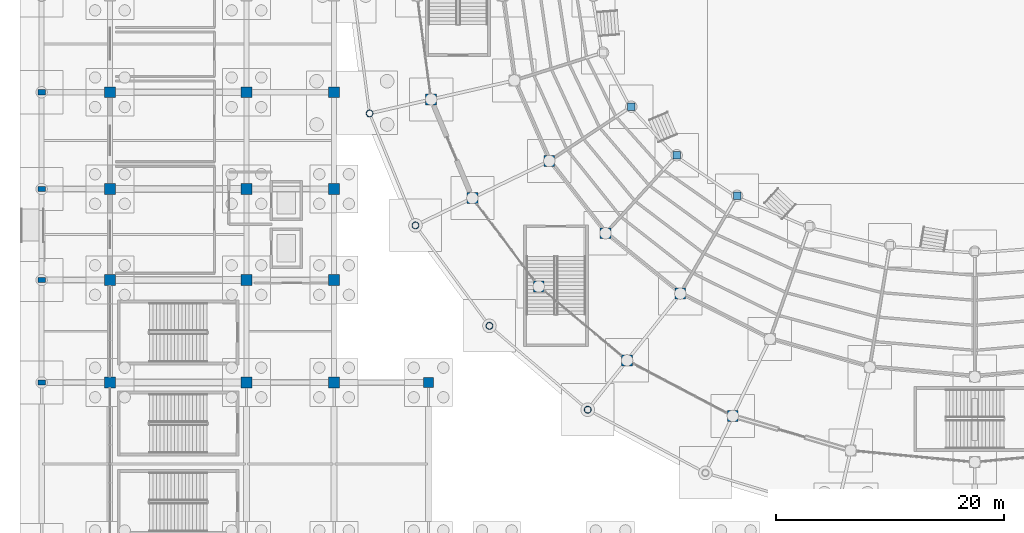
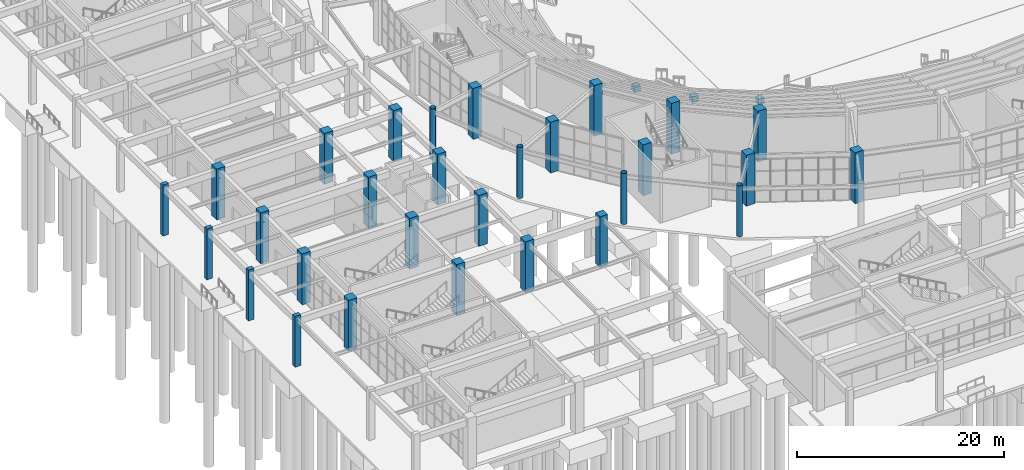
# One storey, part 11 of 121: 32 columns.
"""IFC4 building model written with IfcOpenShell, lengths in metres."""

from ifc_helpers import new_model, si_unit, direction, frame, origin, origin_2d, place, context, subcontext, project, spatial, rectangle, hollow_circle, extrude, material, material_profile, profile_set, type_object, element, save


model = new_model("IFC4")

# Units and contexts
model_context = context("Model", 3, precision=1e-05, world=origin(), true_north=direction((0.0, 1.0)))
body_context = subcontext(model_context, "Body", "Model", "MODEL_VIEW")
ifc_project = project(units=[si_unit("LENGTHUNIT", "METRE"), si_unit("AREAUNIT", "SQUARE_METRE"), si_unit("VOLUMEUNIT", "CUBIC_METRE"), si_unit("PLANEANGLEUNIT", "RADIAN"), si_unit("MASSUNIT", "GRAM", prefix="KILO")], contexts=[model_context])

# Site, building, storey
site_placement = place(None, origin())
site = spatial("IfcSite", under=ifc_project, at=site_placement, CompositionType="ELEMENT")
building_placement = place(site_placement, origin())
building = spatial("IfcBuilding", under=site, at=building_placement, Name="Cuetzalor Civic Arena", CompositionType="ELEMENT")
storey_placement = place(building_placement, origin())
storey = spatial("IfcBuildingStorey", under=building, at=storey_placement, Name="L00", CompositionType="ELEMENT", Elevation=0.0)

# Columns
ifc_material_1 = material(Name="Concrete C40/50", Category="concrete")
ifc_material_profile_1 = material_profile(ifc_material_1, rectangle(XDim=0.64990234375, YDim=0.449951171875, at=origin_2d()), Name="RC 650x450")
ifc_profile_set_1 = profile_set([ifc_material_profile_1], Name="Concrete C40/50")
column_type_1 = type_object("IfcColumnType", Name="ArcadePilaster_650x450", PredefinedType="PILASTER", material=ifc_profile_set_1)
for number, where, z_axis, x_axis, name in (
    (1, (-82.0, -34.0, 0.0), (0.0, 0.0, 1.0), (1.0, 0.0, 0.0), "Column V4W-C-01-03 L00"),
    (2, (-82.0, -25.0, 0.0), (0.0, 0.0, 1.0), (1.0, 0.0, 0.0), "Column V4W-C-01-04 L00"),
    (3, (-82.0, -17.0, 0.0), (0.0, 0.0, 1.0), (1.0, 0.0, 0.0), "Column V4W-C-01-05 L00"),
    (4, (-82.0, -8.5, 0.0), (0.0, 0.0, 1.0), (1.0, 0.0, 0.0), "Column V4W-C-01-06 L00"),
):
    element("IfcColumn", number, at=place(storey_placement, frame(where, z_axis=z_axis, x_axis=x_axis)), inside=storey, type_object=column_type_1, Name=name, PredefinedType="PILASTER", context=body_context, shape_type="SweptSolid", body=[
        extrude(rectangle(XDim=0.64990234375, YDim=0.449951171875, at=origin_2d()), origin(), (0.0, 0.0, 1.0), 6.0),
    ])
ifc_material_2 = material(Name="Concrete C40/50", Category="concrete")
ifc_material_profile_2 = material_profile(ifc_material_2, rectangle(XDim=0.64990234375, YDim=0.64990234375, at=origin_2d()), Name="RC 650x650")
ifc_profile_set_2 = profile_set([ifc_material_profile_2], Name="Concrete C40/50")
column_type_2 = type_object("IfcColumnType", Name="ConcreteColumn_650", PredefinedType="COLUMN", material=ifc_profile_set_2)
for number, where, z_axis, x_axis, name in (
    (5, (-30.1826171875, -9.762451171875, -0.419921875), (0.0, 0.0, 1.0), (1.0, 0.0, 0.0), "Column V1-INR-17 L00"),
    (6, (-26.19140625, -14.028564453125, -0.419921875), (0.0, 0.0, 1.0), (1.0, 0.0, 0.0), "Column V1-INR-18 L00"),
    (7, (-20.886962890625, -17.59130859375, -0.419921875), (0.0, 0.0, 1.0), (1.0, 0.0, 0.0), "Column V1-INR-19 L00"),
):
    element("IfcColumn", number, at=place(storey_placement, frame(where, z_axis=z_axis, x_axis=x_axis)), inside=storey, type_object=column_type_2, Name=name, PredefinedType="COLUMN", context=body_context, shape_type="SweptSolid", body=[
        extrude(rectangle(XDim=0.64990234375, YDim=0.64990234375, at=origin_2d()), origin(), (0.0, 0.0, 1.0), 0.68701171875),
    ])
ifc_material_3 = material(Name="Concrete C40/50", Category="concrete")
ifc_material_profile_3 = material_profile(ifc_material_3, rectangle(XDim=0.85009765625, YDim=0.85009765625, at=origin_2d()), Name="RC 850x850")
ifc_profile_set_3 = profile_set([ifc_material_profile_3], Name="Concrete C40/50")
column_type_3 = type_object("IfcColumnType", Name="ConcreteColumn_850", PredefinedType="COLUMN", material=ifc_profile_set_3)
column_placement = place(storey_placement, frame((-48.0, -34.0, 0.0), z_axis=(0.0, 0.0, 1.0), x_axis=(1.0, 0.0, 0.0)))
element("IfcColumn", 8, at=column_placement, inside=storey, type_object=column_type_3, Name="Column V4W-RET-03 L00", PredefinedType="COLUMN", context=body_context, shape_type="SweptSolid", body=[
    extrude(rectangle(XDim=0.85009765625, YDim=0.85009765625, at=origin_2d()), origin(), (0.0, 0.0, 1.0), 6.0),
])
ifc_material_4 = material(Name="Concrete C40/50", Category="concrete")
ifc_material_profile_4 = material_profile(ifc_material_4, rectangle(XDim=0.949951171875, YDim=0.949951171875, at=origin_2d()), Name="RC 950x950")
ifc_profile_set_4 = profile_set([ifc_material_profile_4], Name="Concrete C40/50")
column_type_4 = type_object("IfcColumnType", Name="ConcreteColumn_950", PredefinedType="COLUMN", material=ifc_profile_set_4)
for number, where, z_axis, x_axis, name in (
    (9, (-47.771484375, -9.123291015625, 0.0), (0.0, 0.0, 1.0), (1.0, 0.0, 0.0), "Column V1-REC-16 L00"),
    (10, (-44.1474609375, -17.789306640625, 0.0), (0.0, 0.0, 1.0), (1.0, 0.0, 0.0), "Column V1-REC-17 L00"),
    (11, (-37.39013671875, -14.53515625, 0.0), (0.0, 0.0, 1.0), (1.0, 0.0, 0.0), "Column V1-MID-17 L00"),
    (12, (-38.309814453125, -25.56298828125, 0.0), (0.0, 0.0, 1.0), (1.0, 0.0, 0.0), "Column V1-REC-18 L00"),
    (13, (-32.446044921875, -20.886962890625, 0.0), (0.0, 0.0, 1.0), (1.0, 0.0, 0.0), "Column V1-MID-18 L00"),
    (14, (-30.551025390625, -32.05517578125, 0.0), (0.0, 0.0, 1.0), (1.0, 0.0, 0.0), "Column V1-REC-19 L00"),
    (15, (-25.874755859375, -26.19140625, 0.0), (0.0, 0.0, 1.0), (1.0, 0.0, 0.0), "Column V1-MID-19 L00"),
    (16, (-21.26025390625, -36.939697265625, 0.0), (0.0, 0.0, 1.0), (1.0, 0.0, 0.0), "Column V1-REC-20 L00"),
    (17, (-76.0, -34.0, 0.0), (0.0, 0.0, 1.0), (1.0, 0.0, 0.0), "Column V4W-C-02-03 L00"),
    (18, (-76.0, -25.0, 0.0), (0.0, 0.0, 1.0), (1.0, 0.0, 0.0), "Column V4W-C-02-04 L00"),
    (19, (-76.0, -17.0, 0.0), (0.0, 0.0, 1.0), (1.0, 0.0, 0.0), "Column V4W-C-02-05 L00"),
    (20, (-76.0, -8.5, 0.0), (0.0, 0.0, 1.0), (1.0, 0.0, 0.0), "Column V4W-C-02-06 L00"),
    (21, (-64.0, -34.0, 0.0), (0.0, 0.0, 1.0), (1.0, 0.0, 0.0), "Column V4W-C-03-03 L00"),
    (22, (-64.0, -25.0, 0.0), (0.0, 0.0, 1.0), (1.0, 0.0, 0.0), "Column V4W-C-03-04 L00"),
    (23, (-64.0, -17.0, 0.0), (0.0, 0.0, 1.0), (1.0, 0.0, 0.0), "Column V4W-C-03-05 L00"),
    (24, (-64.0, -8.5, 0.0), (0.0, 0.0, 1.0), (1.0, 0.0, 0.0), "Column V4W-C-03-06 L00"),
    (25, (-56.300048828125, -34.0, 0.0), (0.0, 0.0, 1.0), (1.0, 0.0, 0.0), "Column V4W-C-04-03 L00"),
    (26, (-56.300048828125, -25.0, 0.0), (0.0, 0.0, 1.0), (1.0, 0.0, 0.0), "Column V4W-C-04-04 L00"),
    (27, (-56.300048828125, -17.0, 0.0), (0.0, 0.0, 1.0), (1.0, 0.0, 0.0), "Column V4W-C-04-05 L00"),
    (28, (-56.300048828125, -8.5, 0.0), (0.0, 0.0, 1.0), (1.0, 0.0, 0.0), "Column V4W-C-04-06 L00"),
):
    element("IfcColumn", number, at=place(storey_placement, frame(where, z_axis=z_axis, x_axis=x_axis)), inside=storey, type_object=column_type_4, Name=name, PredefinedType="COLUMN", context=body_context, shape_type="SweptSolid", body=[
        extrude(rectangle(XDim=0.949951171875, YDim=0.949951171875, at=origin_2d()), origin(), (0.0, 0.0, 1.0), 6.0),
    ])
ifc_material_5 = material(Name="Steel S355", Category="steel")
ifc_material_profile_5 = material_profile(ifc_material_5, hollow_circle(Radius=0.304931640625, WallThickness=0.02490234375, at=origin_2d()), Name="CHS 610x25")
ifc_profile_set_5 = profile_set([ifc_material_profile_5], Name="Steel S355")
column_type_5 = type_object("IfcColumnType", Name="SteelDomePylon_CHS610", PredefinedType="COLUMN", material=ifc_profile_set_5)
for number, where, z_axis, x_axis, name in (
    (29, (-53.182373046875, -10.3583984375, 0.0), (0.0, 0.0, 1.0), (1.0, 0.0, 0.0), "Column V1-PYL-16 L00"),
    (30, (-49.14794921875, -20.197265625, 0.0), (0.0, 0.0, 1.0), (1.0, 0.0, 0.0), "Column V1-PYL-17 L00"),
    (31, (-42.64892578125, -29.0234375, 0.0), (0.0, 0.0, 1.0), (1.0, 0.0, 0.0), "Column V1-PYL-18 L00"),
    (32, (-34.011474609375, -36.394287109375, 0.0), (0.0, 0.0, 1.0), (1.0, 0.0, 0.0), "Column V1-PYL-19 L00"),
):
    element("IfcColumn", number, at=place(storey_placement, frame(where, z_axis=z_axis, x_axis=x_axis)), inside=storey, type_object=column_type_5, Name=name, PredefinedType="COLUMN", context=body_context, shape_type="SweptSolid", body=[
        extrude(hollow_circle(Radius=0.304931640625, WallThickness=0.02490234375, at=origin_2d()), origin(), (0.0, 0.0, 1.0), 6.0),
    ])

save(model, "model.ifc")
